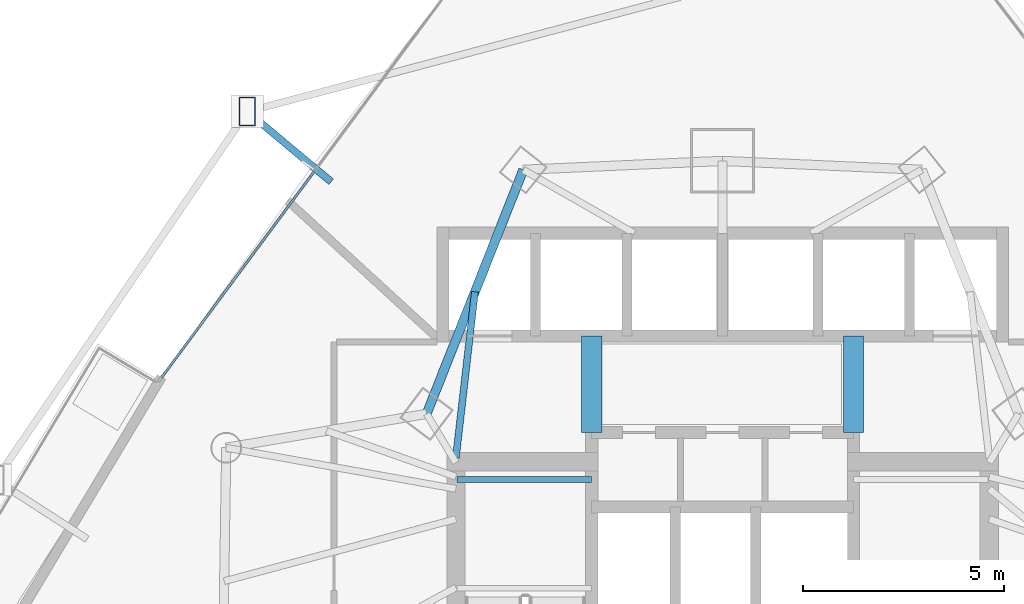
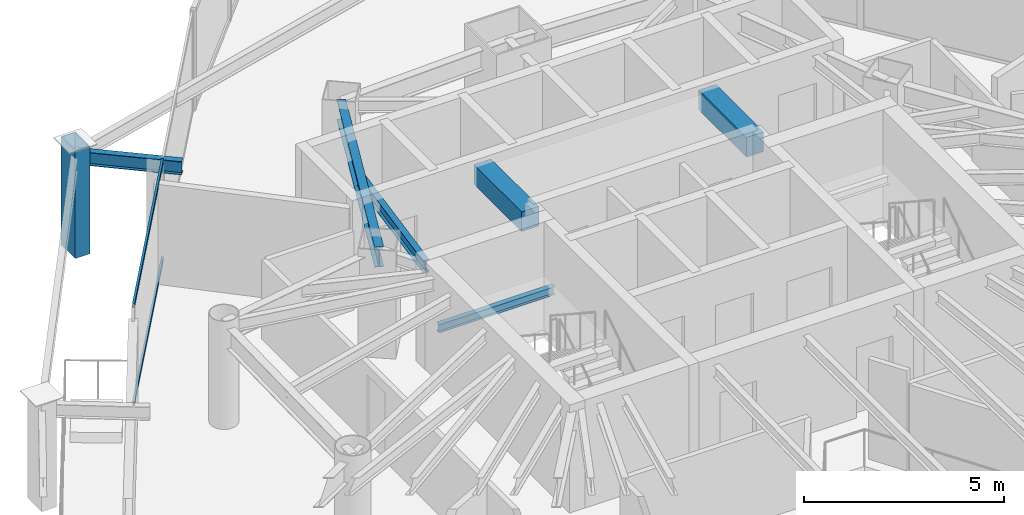
# One storey, part 22 of 35: 6 beams, 3 members, 1 element without a shape of its own.
"""IFC4 building model written with IfcOpenShell, lengths in metres."""

from ifc_helpers import new_model, si_unit, direction, frame, origin, origin_2d, place, context, subcontext, project, spatial, rectangle, hollow_rectangle, i_section, extrude, material, layer, layer_set, material_profile, profile_set, type_object, element, aggregate, save


model = new_model("IFC4")

# Units and contexts
model_context = context("Model", 3, precision=1e-05, world=origin(), true_north=direction((0.0, 1.0)))
body_context = subcontext(model_context, "Body", "Model", "MODEL_VIEW")
ifc_project = project(units=[si_unit("LENGTHUNIT", "METRE"), si_unit("AREAUNIT", "SQUARE_METRE"), si_unit("VOLUMEUNIT", "CUBIC_METRE"), si_unit("PLANEANGLEUNIT", "RADIAN"), si_unit("MASSUNIT", "GRAM", prefix="KILO")], contexts=[model_context])

# Site, building, storey
site_placement = place(None, origin())
site = spatial("IfcSite", under=ifc_project, at=site_placement, CompositionType="ELEMENT")
building_placement = place(site_placement, origin())
building = spatial("IfcBuilding", under=site, at=building_placement, Name="Orvanel Arch Residences", CompositionType="ELEMENT")
storey_placement = place(building_placement, frame((0.0, 0.0, 40.10009765625)))
storey = spatial("IfcBuildingStorey", under=building, at=storey_placement, Name="L10", CompositionType="ELEMENT", Elevation=40.10009765625)

# Beams
ifc_material_1 = material(Name="Structural steel AS/NZS 3679.1 Grade 300 (300 MPa)", Category="steel")
ifc_material_profile_1 = material_profile(ifc_material_1, i_section(OverallWidth=0.14599609375, OverallDepth=0.251953125, WebThickness=0.006103515625, FlangeThickness=0.008544921875, at=origin_2d()), Name="250UB31.4")
ifc_profile_set_1 = profile_set([ifc_material_profile_1], Name="Structural steel AS/NZS 3679.1 Grade 300 (300 MPa)")
beam_type_1 = type_object("IfcBeamType", Name="BJ-250UB", PredefinedType="JOIST", material=ifc_profile_set_1)
beam_1_placement = place(storey_placement, frame((26.39990234375, 33.47998046875, 1.323974609375), z_axis=(1.0, 0.0, 0.0), x_axis=(0.0, 1.0, 0.0)))
element("IfcBeam", 1, at=beam_1_placement, inside=storey, type_object=beam_type_1, Name="L10 ST-1 Half-Landing Support Beam 1.2", PredefinedType="JOIST", context=body_context, shape_type="SweptSolid", body=[
    extrude(i_section(OverallWidth=0.14599609375, OverallDepth=0.251953125, WebThickness=0.006103515625, FlangeThickness=0.008544921875, at=origin_2d()), origin(), (0.0, 0.0, 1.0), 3.35009765625),
])
ifc_material_profile_2 = material_profile(ifc_material_1, i_section(OverallWidth=0.1708984375, OverallDepth=0.35595703125, WebThickness=0.00732421875, FlangeThickness=0.011474609375, at=origin_2d()), Name="360UB50.7")
ifc_profile_set_2 = profile_set([ifc_material_profile_2], Name="Structural steel AS/NZS 3679.1 Grade 300 (300 MPa)")
beam_type_2 = type_object("IfcBeamType", Name="BJ-360UB", PredefinedType="JOIST", material=ifc_profile_set_2)
beam_2_placement = place(storey_placement, frame((26.375, 34.02001953125, 2.8818359375), z_axis=(0.114186670431, 0.993459311847, 0.0), x_axis=(-0.993459311847, 0.114186670431, 0.0)))
element("IfcBeam", 2, at=beam_2_placement, inside=storey, type_object=beam_type_2, Name="L10 NNW2 Wing Floor Joist", PredefinedType="JOIST", context=body_context, shape_type="SweptSolid", body=[
    extrude(i_section(OverallWidth=0.1708984375, OverallDepth=0.35595703125, WebThickness=0.00732421875, FlangeThickness=0.011474609375, at=origin_2d()), origin(), (0.0, 0.0, 1.0), 4.152099609375),
])
ifc_material_2 = material(Name="Concrete S65 (65 MPa)", Category="concrete")
ifc_material_profile_3 = material_profile(ifc_material_2, rectangle(XDim=0.5, YDim=0.60009765625, at=origin_2d()), Name="RC500x600")
ifc_profile_set_3 = profile_set([ifc_material_profile_3], Name="Concrete S65 (65 MPa)")
beam_type_3 = type_object("IfcBeamType", Name="CB-500x600", PredefinedType="LINTEL", material=ifc_profile_set_3)
for number, where, z_axis, x_axis, name in (
    (3, (29.75, 34.64990234375, 2.760009765625), (0.0, 1.0, 0.0), (-1.0, 0.0, 0.0), "L10 West Core Lobby Coupling Lintel Beam"),
    (4, (36.25, 34.64990234375, 2.760009765625), (0.0, 1.0, 0.0), (-1.0, 0.0, 0.0), "L10 East Core Lobby Coupling Lintel Beam"),
):
    element("IfcBeam", number, at=place(storey_placement, frame(where, z_axis=z_axis, x_axis=x_axis)), inside=storey, type_object=beam_type_3, Name=name, PredefinedType="LINTEL", context=body_context, shape_type="SweptSolid", body=[
        extrude(rectangle(XDim=0.5, YDim=0.60009765625, at=origin_2d()), origin(), (0.0, 0.0, 1.0), 2.400146484375),
    ])

# Member
ifc_material_3 = material(Name="Structural steel AS/NZS 3678 Grade 350", Category="steel")
ifc_material_profile_4 = material_profile(ifc_material_3, hollow_rectangle(XDim=0.419921875, YDim=0.719970703125, WallThickness=0.02490234375, at=origin_2d()), Name="RHS720x420x25")
ifc_profile_set_4 = profile_set([ifc_material_profile_4], Name="Structural steel AS/NZS 3678 Grade 350")
member_type_1 = type_object("IfcMemberType", Name="CH-720RHS-EXT", PredefinedType="CHORD", material=ifc_profile_set_4)
member_1_placement = place(storey_placement, frame((21.193115234375, 42.623046875, 0.0), z_axis=(0.0, 0.0, 1.0), x_axis=(1.0, 0.0, 0.0)))
element("IfcMember", 5, at=member_1_placement, inside=storey, type_object=member_type_1, Name="L10 Outer Perimeter Frame Post 01", PredefinedType="CHORD", context=body_context, shape_type="SweptSolid", body=[
    extrude(hollow_rectangle(XDim=0.419921875, YDim=0.719970703125, WallThickness=0.02490234375, at=origin_2d()), origin(), (0.0, 0.0, 1.0), 3.2998046875),
])

# Beams
ifc_material_profile_5 = material_profile(ifc_material_1, i_section(OverallWidth=0.177978515625, OverallDepth=0.406005859375, WebThickness=0.0078125, FlangeThickness=0.0126953125, at=origin_2d()), Name="410UB59.7")
ifc_profile_set_5 = profile_set([ifc_material_profile_5], Name="Structural steel AS/NZS 3679.1 Grade 300 (300 MPa)")
beam_type_4 = type_object("IfcBeamType", Name="OB-410UB-EXT", PredefinedType="SPANDREL", material=ifc_profile_set_5)
beam_3_placement = place(storey_placement, frame((23.278076171875, 40.87890625, 2.85693359375), z_axis=(-0.767012576093, 0.641632065996, 0.0), x_axis=(-0.641632065996, -0.767012576093, 0.0)))
element("IfcBeam", 6, at=beam_3_placement, inside=storey, type_object=beam_type_4, Name="L10 Outer Frame Radial Tie Beam 01", PredefinedType="SPANDREL", context=body_context, shape_type="SweptSolid", body=[
    extrude(i_section(OverallWidth=0.177978515625, OverallDepth=0.406005859375, WebThickness=0.0078125, FlangeThickness=0.0126953125, at=origin_2d()), origin(), (0.0, 0.0, 1.0), 2.71826171875),
])
ifc_material_profile_6 = material_profile(ifc_material_1, i_section(OverallWidth=0.22900390625, OverallDepth=0.612060546875, WebThickness=0.011962890625, FlangeThickness=0.01953125, at=origin_2d()), Name="610UB125")
ifc_profile_set_6 = profile_set([ifc_material_profile_6], Name="Structural steel AS/NZS 3679.1 Grade 300 (300 MPa)")
beam_type_5 = type_object("IfcBeamType", Name="SP-610UB", PredefinedType="SPANDREL", material=ifc_profile_set_6)
beam_4_placement = place(storey_placement, frame((28.050048828125, 41.177978515625, 2.75390625), z_axis=(-0.368233143579, -0.929733484376, 0.0), x_axis=(0.929733484376, -0.368233143579, 0.0)))
element("IfcBeam", 7, at=beam_4_placement, inside=storey, type_object=beam_type_5, Name="L10 Perimeter Spandrel Beam 18", PredefinedType="SPANDREL", context=body_context, shape_type="SweptSolid", body=[
    extrude(i_section(OverallWidth=0.22900390625, OverallDepth=0.612060546875, WebThickness=0.011962890625, FlangeThickness=0.01953125, at=origin_2d()), origin(), (0.0, 0.0, 1.0), 6.523193359375),
])

# Curtain wall, members
ifc_material_4 = material(Name="Bronze-anodised aluminium AA6063-T6", Category="aluminium")
ifc_layer = layer(ifc_material_4, 0.179931640625)
ifc_layer_set = layer_set([ifc_layer], Name="Bronze-anodised aluminium AA6063-T6")
curtain_wall_type = type_object("IfcCurtainWallType", Name="CW2-LOW-SYS", PredefinedType="NOTDEFINED", material=ifc_layer_set)
curtain_wall_placement = place(storey_placement, origin())
curtain_wall = element("IfcCurtainWall", 8, at=curtain_wall_placement, inside=storey, type_object=curtain_wall_type, Name="L10 CW2-LOW-SYS Unitised Curtain Wall", PredefinedType="NOTDEFINED")
ifc_material_profile_7 = material_profile(ifc_material_4, hollow_rectangle(XDim=0.06005859375, YDim=0.135009765625, WallThickness=0.00390625, at=origin_2d()), Name="ALU135x60x4")
ifc_profile_set_7 = profile_set([ifc_material_profile_7], Name="Bronze-anodised aluminium AA6063-T6")
member_type_2 = type_object("IfcMemberType", Name="TRN-135x60", PredefinedType="USERDEFINED", material=ifc_profile_set_7)
member_2_placement = place(storey_placement, frame((22.853271484375, 41.1318359375, 0.02978515625), z_axis=(-0.595357762484, -0.803460723775, 0.0), x_axis=(0.803460723775, -0.595357762484, 0.0)))
member_2 = element("IfcMember", 9, at=member_2_placement, type_object=member_type_2, Name="CW-S2 transom 2.1", ObjectType="TRANSOM", PredefinedType="USERDEFINED", context=body_context, shape_type="SweptSolid", body=[
    extrude(hollow_rectangle(XDim=0.06005859375, YDim=0.135009765625, WallThickness=0.00390625, at=origin_2d()), origin(), (0.0, 0.0, 1.0), 6.36669921875),
])
member_3_placement = place(storey_placement, frame((22.853271484375, 41.1318359375, 3.02978515625), z_axis=(-0.595357762484, -0.803460723775, 0.0), x_axis=(0.803460723775, -0.595357762484, 0.0)))
member_3 = element("IfcMember", 10, at=member_3_placement, type_object=member_type_2, Name="CW-S2 transom 2.2", ObjectType="TRANSOM", PredefinedType="USERDEFINED", context=body_context, shape_type="SweptSolid", body=[
    extrude(hollow_rectangle(XDim=0.06005859375, YDim=0.135009765625, WallThickness=0.00390625, at=origin_2d()), origin(), (0.0, 0.0, 1.0), 6.36669921875),
])
aggregate(curtain_wall, [member_2, member_3])

save(model, "model.ifc")
